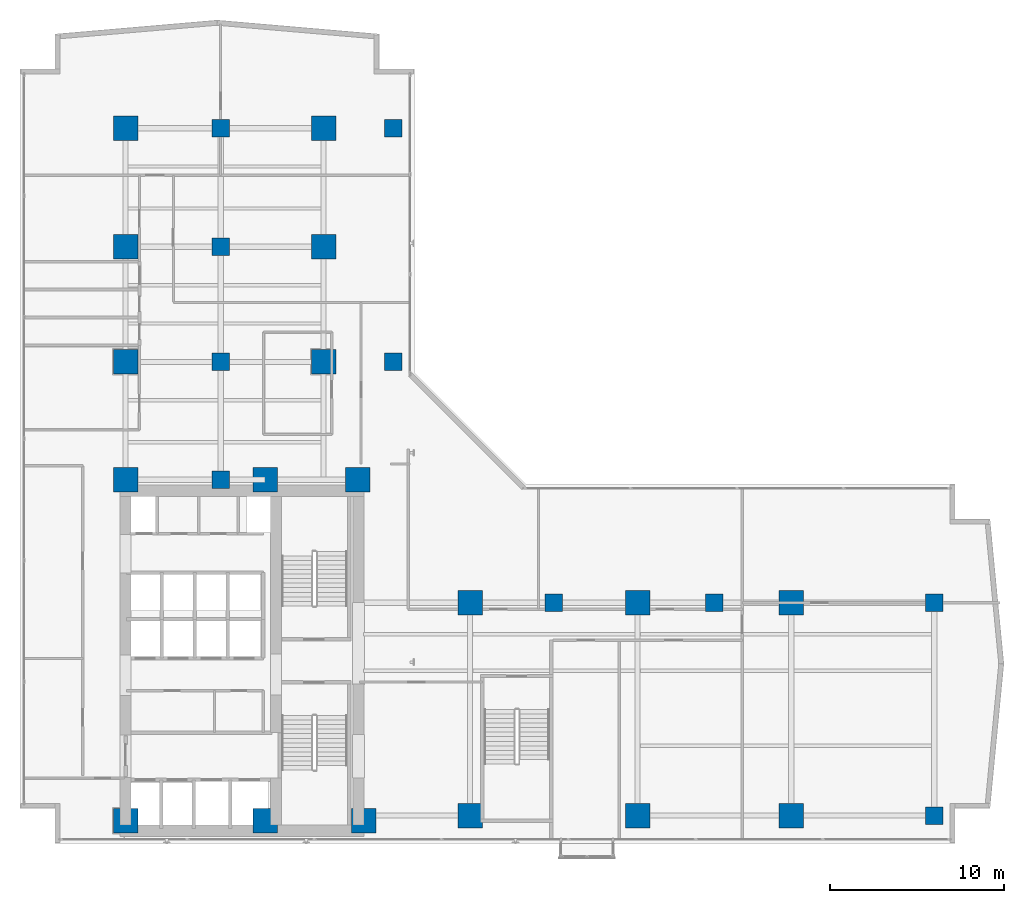
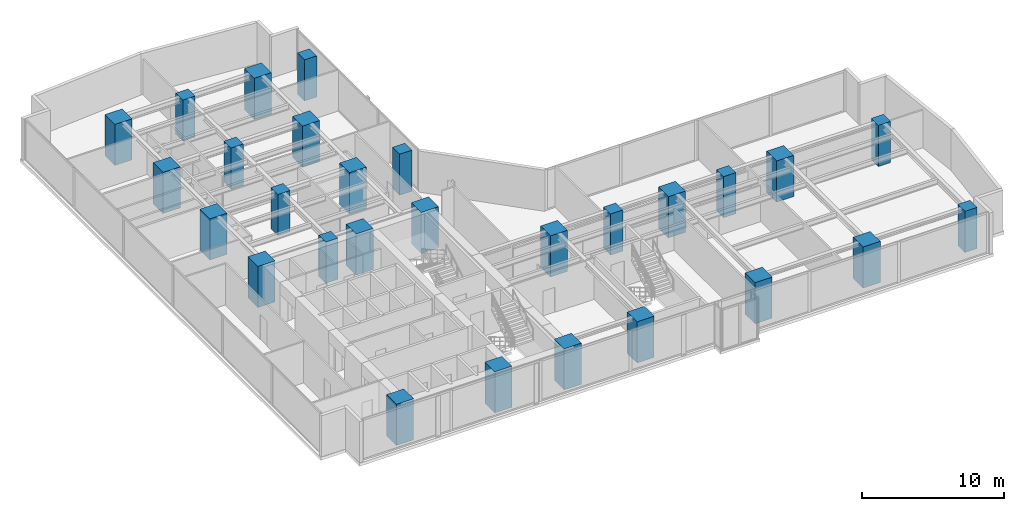
# One storey, part 1 of 29: 28 columns.
"""IFC4 building model written with IfcOpenShell, lengths in metres."""

import ifcopenshell
import ifcopenshell.guid

model = None  # the IFC model being written
_history = None  # IfcOwnerHistory: only IFC2X3 demands one
_inside = {}  # id of a spatial element -> (the spatial element, [elements in it])
_under = {}  # id of a project, library or spatial element -> (it, [spatial elements below it])
_declared = {}  # id of a project -> (the project, [libraries it declares])
_typed = {}  # id of a type object -> (the type object, [elements of that type])
_made_of = {}  # id of a material, layer set ... -> (it, [elements and type objects made of it])


def new_model(schema):
    """Start an empty IFC model of exactly this schema.

    Asked for "IFC4X3", IfcOpenShell would pick the latest addendum, in which some entities
    have other attributes; the version numbers below select the first issue.
    IFC2X3 requires an IfcOwnerHistory on every rooted entity: one is made here for all.
    """
    global model, _history
    if schema == "IFC4X3":
        model = ifcopenshell.file(schema_version=(4, 3, 0, 0))
    else:
        model = ifcopenshell.file(schema=schema)
    _inside.clear()
    _under.clear()
    _declared.clear()
    _typed.clear()
    _made_of.clear()
    _history = None
    if model.schema == "IFC2X3":
        org = make("IfcOrganization", Name="unknown")
        user = make(
            "IfcPersonAndOrganization",
            ThePerson=make("IfcPerson", FamilyName="unknown"),
            TheOrganization=org,
        )
        app = make(
            "IfcApplication",
            ApplicationDeveloper=org,
            Version="unknown",
            ApplicationFullName="unknown",
            ApplicationIdentifier="unknown",
        )
        _history = make(
            "IfcOwnerHistory",
            OwningUser=user,
            OwningApplication=app,
            ChangeAction="ADDED",
            CreationDate=0,
        )
    return model


def make(cls, **values):
    """One entity of the class cls with the attributes given. An attribute that is None is left unset."""
    return model.create_entity(
        cls, **{name: value for name, value in values.items() if value is not None}
    )


def rooted(cls, **values):
    """An entity with a GlobalId (a new one), such as an element, a storey or a relation."""
    return make(cls, GlobalId=ifcopenshell.guid.new(), OwnerHistory=_history, **values)


def si_unit(unit_type, name, prefix=None):
    """IfcSIUnit, for example si_unit("LENGTHUNIT", "METRE", prefix="MILLI")."""
    return make("IfcSIUnit", UnitType=unit_type, Prefix=prefix, Name=name)


def assignment(units):
    """IfcUnitAssignment: the units of a project."""
    return None if units is None else make("IfcUnitAssignment", Units=units)


def point(xyz):
    """IfcCartesianPoint."""
    return None if xyz is None else make("IfcCartesianPoint", Coordinates=xyz)


def direction(xyz):
    """IfcDirection."""
    return None if xyz is None else make("IfcDirection", DirectionRatios=xyz)


def frame(location, z_axis=None, x_axis=None):
    """IfcAxis2Placement3D, a coordinate frame: its origin and axes. An axis left out is left unset."""
    return make(
        "IfcAxis2Placement3D",
        Location=point(location),
        Axis=direction(z_axis),
        RefDirection=direction(x_axis),
    )


def frame_2d(location, x_axis=None):
    """IfcAxis2Placement2D, a coordinate frame in the plane: its origin and x axis."""
    return make(
        "IfcAxis2Placement2D", Location=point(location), RefDirection=direction(x_axis)
    )


def origin():
    """The frame at (0, 0, 0) with its axes left unset."""
    return frame((0.0, 0.0, 0.0))


def origin_2d():
    """The frame at (0, 0) in the plane with its x axis left unset."""
    return frame_2d((0.0, 0.0))


def place(relative_to, where):
    """IfcLocalPlacement: puts the frame where relative to a parent placement (None: the world)."""
    return make(
        "IfcLocalPlacement", PlacementRelTo=relative_to, RelativePlacement=where
    )


def context(
    kind, dimensions, precision=None, world=None, true_north=None, identifier=None
):
    """IfcGeometricRepresentationContext, for example the 3D "Model" context."""
    return make(
        "IfcGeometricRepresentationContext",
        ContextIdentifier=identifier,
        ContextType=kind,
        CoordinateSpaceDimension=dimensions,
        Precision=precision,
        WorldCoordinateSystem=world,
        TrueNorth=true_north,
    )


def subcontext(parent, identifier, kind, view, scale=None):
    """IfcGeometricRepresentationSubContext, for example "Body" below "Model"."""
    return make(
        "IfcGeometricRepresentationSubContext",
        ContextIdentifier=identifier,
        ContextType=kind,
        ParentContext=parent,
        TargetScale=scale,
        TargetView=view,
    )


def project(units=None, contexts=None):
    """IfcProject with its units and contexts."""
    return rooted(
        "IfcProject",
        Name="project",
        RepresentationContexts=contexts,
        UnitsInContext=assignment(units),
    )


def spatial(cls, under=None, at=None, **own):
    """A site, building, storey or space (cls), placed at a placement, below another one or the project."""
    s = rooted(cls, ObjectPlacement=at, **own)
    if under is not None:
        _under.setdefault(under.id(), (under, []))[1].append(s)
    return s


def profile(cls, at=None, kind="AREA", **sizes):
    """A parametric profile (cls). Its sizes go by their IFC names, for example OverallWidth=200.0."""
    return make(cls, ProfileType=kind, Position=at, **sizes)


def rectangle(**sizes):
    """IfcRectangleProfileDef."""
    return profile("IfcRectangleProfileDef", **sizes)


def extrude(swept, where, along, depth):
    """IfcExtrudedAreaSolid: the profile swept, set in the frame where, extruded along a direction by depth."""
    return make(
        "IfcExtrudedAreaSolid",
        SweptArea=swept,
        Position=where,
        ExtrudedDirection=direction(along),
        Depth=depth,
    )


def shape(context_of_items, identifier, shape_type, items):
    """IfcShapeRepresentation: the items that make up one representation, for example the "Body"."""
    return make(
        "IfcShapeRepresentation",
        ContextOfItems=context_of_items,
        RepresentationIdentifier=identifier,
        RepresentationType=shape_type,
        Items=items,
    )


def material(Name=None, Category=None):
    """IfcMaterial."""
    return make("IfcMaterial", Name=Name, Category=Category)


def material_profile(
    of_material, cross_section, Name=None, Category=None, Priority=None
):
    """IfcMaterialProfile: a cross section and its material."""
    return make(
        "IfcMaterialProfile",
        Name=Name,
        Material=of_material,
        Profile=cross_section,
        Priority=Priority,
        Category=Category,
    )


def profile_set(profiles, Name=None, composite=None):
    """IfcMaterialProfileSet."""
    return make(
        "IfcMaterialProfileSet",
        Name=Name,
        MaterialProfiles=profiles,
        CompositeProfile=composite,
    )


def made_of(thing, what):
    """Note that an element or type object is made of a material, layer set ...; save() writes the relation."""
    if what is not None:
        _made_of.setdefault(what.id(), (what, []))[1].append(thing)
    return thing


def type_object(cls, material=None, **own):
    """A type object (cls), such as IfcWallType, which elements share."""
    return made_of(rooted(cls, **own), material)


def element(
    cls,
    number,
    at=None,
    inside=None,
    cuts=None,
    type_object=None,
    material=None,
    context=None,
    identifier="Body",
    shape_type=None,
    held_by="IfcProductDefinitionShape",
    body=None,
    shapes=None,
    **own,
):
    """One element of the class cls, such as IfcWall. Its Tag is "e" and its number.

    at: its placement. inside: the storey or other place that contains it. cuts: it is an
    opening in that element (IfcRelVoidsElement). A single representation is given by context,
    identifier, shape_type and body (its items); several are given by shapes. held_by: the class
    of the entity that holds the representations. save() writes the other relations.
    """
    e = rooted(cls, Tag="e%d" % number, ObjectPlacement=at, **own)
    if body is not None:
        shapes = [shape(context, identifier, shape_type, body)]
    if shapes is not None:
        e.Representation = make(held_by, Representations=shapes)
    if inside is not None:
        _inside.setdefault(inside.id(), (inside, []))[1].append(e)
    if cuts is not None:
        rooted(
            "IfcRelVoidsElement", RelatingBuildingElement=cuts, RelatedOpeningElement=e
        )
    if type_object is not None:
        _typed.setdefault(type_object.id(), (type_object, []))[1].append(e)
    return made_of(e, material)


def aggregate(whole, parts):
    """IfcRelAggregates: a whole, such as a stair, and the parts it consists of."""
    return rooted("IfcRelAggregates", RelatingObject=whole, RelatedObjects=parts)


def save(model, path):
    """Write the relations noted so far, then the file.

    IfcRelAggregates (storeys below a building ...), IfcRelContainedInSpatialStructure (elements
    in a storey), IfcRelDefinesByType, IfcRelAssociatesMaterial and IfcRelDeclares: one each for
    every whole, place, type object, material and project.
    """
    for whole, parts in _under.values():
        aggregate(whole, parts)
    for where, things in _inside.values():
        rooted(
            "IfcRelContainedInSpatialStructure",
            RelatedElements=things,
            RelatingStructure=where,
        )
    for kind, things in _typed.values():
        rooted("IfcRelDefinesByType", RelatedObjects=things, RelatingType=kind)
    for what, things in _made_of.values():
        rooted("IfcRelAssociatesMaterial", RelatedObjects=things, RelatingMaterial=what)
    for by, libraries in _declared.values():
        rooted("IfcRelDeclares", RelatingContext=by, RelatedDefinitions=libraries)
    model.write(path)


model = new_model("IFC4")

# Units and contexts
model_context = context("Model", 3, precision=1e-05, world=origin(), true_north=direction((0.0, 1.0)))
body_context = subcontext(model_context, "Body", "Model", "MODEL_VIEW")
ifc_project = project(units=[si_unit("LENGTHUNIT", "METRE"), si_unit("AREAUNIT", "SQUARE_METRE"), si_unit("VOLUMEUNIT", "CUBIC_METRE"), si_unit("PLANEANGLEUNIT", "RADIAN"), si_unit("MASSUNIT", "GRAM", prefix="KILO")], contexts=[model_context])

# Site, building, storey
site_placement = place(None, origin())
site = spatial("IfcSite", under=ifc_project, at=site_placement, CompositionType="ELEMENT")
building_placement = place(site_placement, origin())
building = spatial("IfcBuilding", under=site, at=building_placement, Name="Kolvaren Waterfront Exchange", CompositionType="ELEMENT")
storey_placement = place(building_placement, frame((0.0, 0.0, 129.699951171875)))
storey = spatial("IfcBuildingStorey", under=building, at=storey_placement, Name="L33", CompositionType="ELEMENT", Elevation=129.699951171875)

# Columns
ifc_material = material(Name="Concrete C60/75", Category="concrete")
ifc_material_profile_1 = material_profile(ifc_material, rectangle(XDim=1.0, YDim=1.0, at=origin_2d()), Name="RC-COL-1000x1000")
ifc_profile_set_1 = profile_set([ifc_material_profile_1], Name="Concrete C60/75")
column_type_1 = type_object("IfcColumnType", Name="STR-COL-1000-C60", PredefinedType="COLUMN", material=ifc_profile_set_1)
for number, where, z_axis, x_axis, name in (
    (1, (53.800048828125, 5.199951171875, 0.0), (0.0, 0.0, 1.0), (1.0, 0.0, 0.0), "L33 column ZC01"),
    (2, (53.800048828125, 17.39990234375, 0.0), (0.0, 0.0, 1.0), (1.0, 0.0, 0.0), "L33 column ZC02"),
    (3, (22.800048828125, 31.199951171875, 0.0), (0.0, 0.0, 1.0), (1.0, 0.0, 0.0), "L33 column ZC05"),
    (4, (22.800048828125, 44.60009765625, 0.0), (0.0, 0.0, 1.0), (1.0, 0.0, 0.0), "L33 column ZC06"),
    (5, (12.89990234375, 24.449951171875, 0.0), (0.0, 0.0, 1.0), (1.0, 0.0, 0.0), "L33 column TC01"),
    (6, (12.89990234375, 31.199951171875, 0.0), (0.0, 0.0, 1.0), (1.0, 0.0, 0.0), "L33 column TC02"),
    (7, (12.89990234375, 37.800048828125, 0.0), (0.0, 0.0, 1.0), (1.0, 0.0, 0.0), "L33 column TC03"),
    (8, (12.89990234375, 44.60009765625, 0.0), (0.0, 0.0, 1.0), (1.0, 0.0, 0.0), "L33 column TC04"),
    (9, (32.0, 17.39990234375, 0.0), (0.0, 0.0, 1.0), (1.0, 0.0, 0.0), "L33 column TC05"),
    (10, (41.199951171875, 17.39990234375, 0.0), (0.0, 0.0, 1.0), (1.0, 0.0, 0.0), "L33 column TC06"),
):
    element("IfcColumn", number, at=place(storey_placement, frame(where, z_axis=z_axis, x_axis=x_axis)), inside=storey, type_object=column_type_1, Name=name, PredefinedType="COLUMN", context=body_context, shape_type="SweptSolid", body=[
        extrude(rectangle(XDim=1.0, YDim=1.0, at=origin_2d()), origin(), (0.0, 0.0, 1.0), 3.5400390625),
    ])
ifc_material_profile_2 = material_profile(ifc_material, rectangle(XDim=1.39990234375, YDim=1.39990234375, at=origin_2d()), Name="RC-COL-1400x1400")
ifc_profile_set_2 = profile_set([ifc_material_profile_2], Name="Concrete C60/75")
column_type_2 = type_object("IfcColumnType", Name="STR-COL-1400-C60", PredefinedType="COLUMN", material=ifc_profile_set_2)
for number, where, z_axis, x_axis, name in (
    (11, (7.449951171875, 4.89990234375, 0.0), (0.0, 0.0, 1.0), (1.0, 0.0, 0.0), "L33 column MC01"),
    (12, (15.449951171875, 4.89990234375, 0.0), (0.0, 0.0, 1.0), (1.0, 0.0, 0.0), "L33 column MC02"),
    (13, (21.10009765625, 4.89990234375, 0.0), (0.0, 0.0, 1.0), (1.0, 0.0, 0.0), "L33 column MC03"),
    (14, (7.449951171875, 24.449951171875, 0.0), (0.0, 0.0, 1.0), (1.0, 0.0, 0.0), "L33 column MC04"),
    (15, (15.449951171875, 24.449951171875, 0.0), (0.0, 0.0, 1.0), (1.0, 0.0, 0.0), "L33 column MC05"),
    (16, (20.75, 24.449951171875, 0.0), (0.0, 0.0, 1.0), (1.0, 0.0, 0.0), "L33 column MC06"),
    (17, (7.449951171875, 31.199951171875, 0.0), (0.0, 0.0, 1.0), (1.0, 0.0, 0.0), "L33 column NC01"),
    (18, (7.449951171875, 37.800048828125, 0.0), (0.0, 0.0, 1.0), (1.0, 0.0, 0.0), "L33 column NC02"),
    (19, (7.449951171875, 44.60009765625, 0.0), (0.0, 0.0, 1.0), (1.0, 0.0, 0.0), "L33 column NC03"),
    (20, (18.800048828125, 31.199951171875, 0.0), (0.0, 0.0, 1.0), (1.0, 0.0, 0.0), "L33 column NC04"),
    (21, (18.800048828125, 37.800048828125, 0.0), (0.0, 0.0, 1.0), (1.0, 0.0, 0.0), "L33 column NC05"),
    (22, (18.800048828125, 44.60009765625, 0.0), (0.0, 0.0, 1.0), (1.0, 0.0, 0.0), "L33 column NC06"),
    (23, (27.199951171875, 5.199951171875, 0.0), (0.0, 0.0, 1.0), (1.0, 0.0, 0.0), "L33 column EC01"),
    (24, (36.800048828125, 5.199951171875, 0.0), (0.0, 0.0, 1.0), (1.0, 0.0, 0.0), "L33 column EC02"),
    (25, (45.60009765625, 5.199951171875, 0.0), (0.0, 0.0, 1.0), (1.0, 0.0, 0.0), "L33 column EC03"),
    (26, (27.199951171875, 17.39990234375, 0.0), (0.0, 0.0, 1.0), (1.0, 0.0, 0.0), "L33 column EC04"),
    (27, (36.800048828125, 17.39990234375, 0.0), (0.0, 0.0, 1.0), (1.0, 0.0, 0.0), "L33 column EC05"),
    (28, (45.60009765625, 17.39990234375, 0.0), (0.0, 0.0, 1.0), (1.0, 0.0, 0.0), "L33 column EC06"),
):
    element("IfcColumn", number, at=place(storey_placement, frame(where, z_axis=z_axis, x_axis=x_axis)), inside=storey, type_object=column_type_2, Name=name, PredefinedType="COLUMN", context=body_context, shape_type="SweptSolid", body=[
        extrude(rectangle(XDim=1.39990234375, YDim=1.39990234375, at=origin_2d()), origin(), (0.0, 0.0, 1.0), 3.5400390625),
    ])

save(model, "model.ifc")
